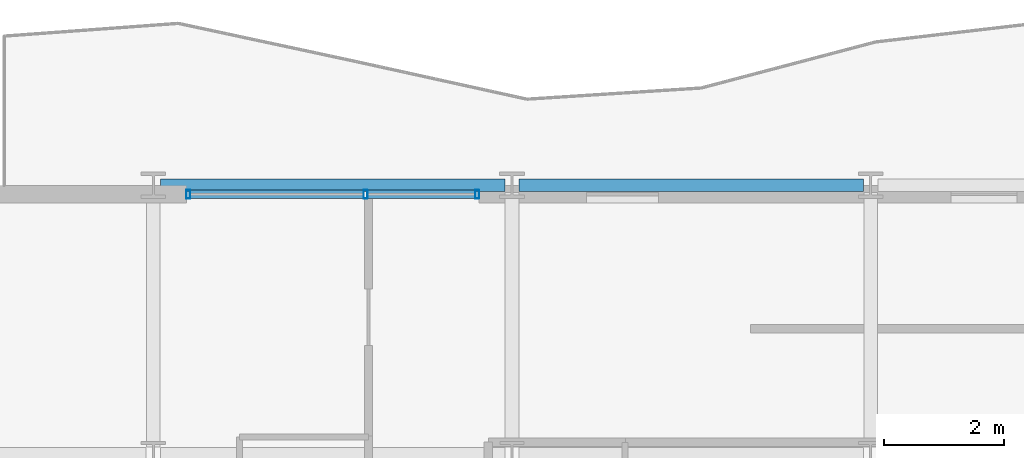
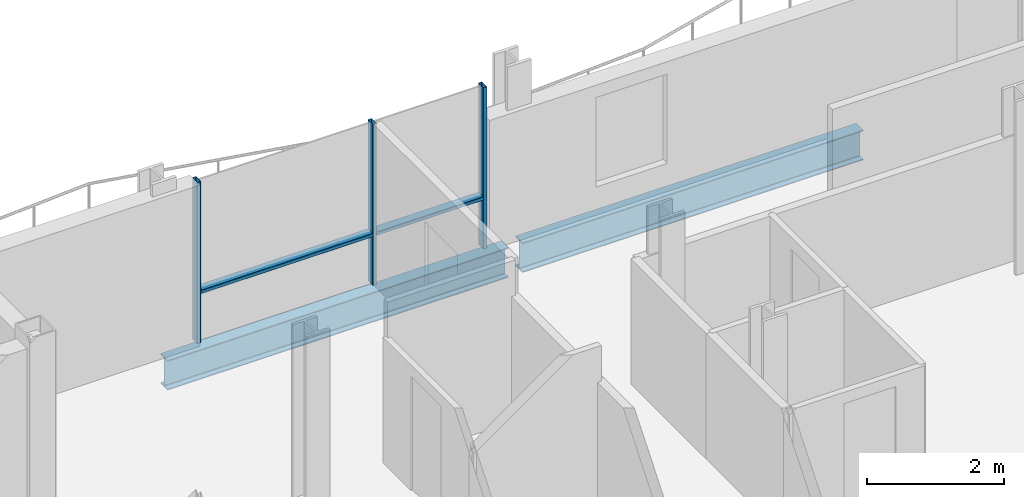
# One storey, part 21 of 40: 5 members, 2 beams, 1 element without a shape of its own.
"""IFC4 building model written with IfcOpenShell, lengths in metres."""

from ifc_helpers import new_model, si_unit, direction, frame, origin, origin_2d, place, context, subcontext, project, spatial, hollow_rectangle, i_section, extrude, material, layer, layer_set, material_profile, profile_set, type_object, element, aggregate, save


model = new_model("IFC4")

# Units and contexts
model_context = context("Model", 3, precision=1e-05, world=origin(), true_north=direction((0.0, 1.0)))
body_context = subcontext(model_context, "Body", "Model", "MODEL_VIEW")
ifc_project = project(units=[si_unit("LENGTHUNIT", "METRE"), si_unit("AREAUNIT", "SQUARE_METRE"), si_unit("VOLUMEUNIT", "CUBIC_METRE"), si_unit("PLANEANGLEUNIT", "RADIAN"), si_unit("MASSUNIT", "GRAM", prefix="KILO")], contexts=[model_context])

# Site, building, storey
site_placement = place(None, origin())
site = spatial("IfcSite", under=ifc_project, at=site_placement, CompositionType="ELEMENT")
building_placement = place(site_placement, origin())
building = spatial("IfcBuilding", under=site, at=building_placement, Name="Brevholm Reach", CompositionType="ELEMENT")
storey_placement = place(building_placement, frame((0.0, 0.0, 125.199951171875)))
storey = spatial("IfcBuildingStorey", under=building, at=storey_placement, Name="L37", CompositionType="ELEMENT", Elevation=125.199951171875)

# Beams
ifc_material_1 = material(Name="Structural Steel S355J2", Category="steel")
ifc_material_profile_1 = material_profile(ifc_material_1, i_section(OverallWidth=0.209228515625, OverallDepth=0.533203125, WebThickness=0.010009765625, FlangeThickness=0.015625, FilletRadius=0.0126953125, at=origin_2d()), Name="UKB 533x210x92")
ifc_profile_set_1 = profile_set([ifc_material_profile_1], Name="Structural Steel S355J2")
beam_type = type_object("IfcBeamType", Name="BM-SP533", PredefinedType="SPANDREL", material=ifc_profile_set_1)
for number, where, z_axis, x_axis, name in (
    (1, (6.1201171875, 31.0, -0.486572265625), (1.0, 0.0, 0.0), (0.0, 1.0, 0.0), "L37 SP-02 Framing Beam"),
    (2, (12.1201171875, 31.0, -0.486572265625), (1.0, 0.0, 0.0), (0.0, 1.0, 0.0), "L37 SP-02 Framing Beam"),
):
    element("IfcBeam", number, at=place(storey_placement, frame(where, z_axis=z_axis, x_axis=x_axis)), inside=storey, type_object=beam_type, Name=name, PredefinedType="SPANDREL", context=body_context, shape_type="SweptSolid", body=[
        extrude(i_section(OverallWidth=0.209228515625, OverallDepth=0.533203125, WebThickness=0.010009765625, FlangeThickness=0.015625, FilletRadius=0.0126953125, at=origin_2d()), origin(), (0.0, 0.0, 1.0), 5.759765625),
    ])

# Curtain wall, members
ifc_material_2 = material(Name="Dark Anodised Aluminium 6063-T6 and Solar-Control Glass", Category="aluminium")
ifc_layer = layer(ifc_material_2, 0.14990234375)
ifc_layer_set = layer_set([ifc_layer], Name="Dark Anodised Aluminium 6063-T6 and Solar-Control Glass")
curtain_wall_type = type_object("IfcCurtainWallType", Name="CW-01", PredefinedType="NOTDEFINED", material=ifc_layer_set)
curtain_wall_placement = place(storey_placement, origin())
curtain_wall = element("IfcCurtainWall", 3, at=curtain_wall_placement, inside=storey, type_object=curtain_wall_type, Name="L37 Curtain Wall CW-01", PredefinedType="NOTDEFINED")
ifc_material_3 = material(Name="Dark Anodised Aluminium 6063-T6", Category="aluminium")
ifc_material_profile_2 = material_profile(ifc_material_3, hollow_rectangle(XDim=0.06494140625, YDim=0.14990234375, WallThickness=0.0048828125, InnerFilletRadius=0.0048828125, OuterFilletRadius=0.010009765625, at=origin_2d()), Name="RHS 150x65x5")
ifc_profile_set_2 = profile_set([ifc_material_profile_2], Name="Dark Anodised Aluminium 6063-T6")
member_type_1 = type_object("IfcMemberType", Name="CWM-150", PredefinedType="MULLION", material=ifc_profile_set_2)
member_1_placement = place(storey_placement, frame((6.58251953125, 30.85009765625, 0.0), z_axis=(0.0, 0.0, 1.0), x_axis=(1.0, 0.0, 0.0)))
member_1 = element("IfcMember", 4, at=member_1_placement, type_object=member_type_1, Name="CM-150 Mullion 1", PredefinedType="MULLION", context=body_context, shape_type="SweptSolid", body=[
    extrude(hollow_rectangle(XDim=0.06494140625, YDim=0.14990234375, WallThickness=0.0048828125, InnerFilletRadius=0.0048828125, OuterFilletRadius=0.010009765625, at=origin_2d()), origin(), (0.0, 0.0, 1.0), 2.880126953125),
])
member_2_placement = place(storey_placement, frame((9.550048828125, 30.85009765625, 0.0), z_axis=(0.0, 0.0, 1.0), x_axis=(1.0, 0.0, 0.0)))
member_2 = element("IfcMember", 5, at=member_2_placement, type_object=member_type_1, Name="CM-150 Mullion 2", PredefinedType="MULLION", context=body_context, shape_type="SweptSolid", body=[
    extrude(hollow_rectangle(XDim=0.06494140625, YDim=0.14990234375, WallThickness=0.0048828125, InnerFilletRadius=0.0048828125, OuterFilletRadius=0.010009765625, at=origin_2d()), origin(), (0.0, 0.0, 1.0), 2.880126953125),
])
member_3_placement = place(storey_placement, frame((11.41748046875, 30.85009765625, 0.0), z_axis=(0.0, 0.0, 1.0), x_axis=(1.0, 0.0, 0.0)))
member_3 = element("IfcMember", 6, at=member_3_placement, type_object=member_type_1, Name="CM-150 Mullion 3", PredefinedType="MULLION", context=body_context, shape_type="SweptSolid", body=[
    extrude(hollow_rectangle(XDim=0.06494140625, YDim=0.14990234375, WallThickness=0.0048828125, InnerFilletRadius=0.0048828125, OuterFilletRadius=0.010009765625, at=origin_2d()), origin(), (0.0, 0.0, 1.0), 2.880126953125),
])
ifc_material_4 = material(Name="Dark Anodised Aluminium 6063-T6", Category="aluminium")
ifc_material_profile_3 = material_profile(ifc_material_4, hollow_rectangle(XDim=0.06494140625, YDim=0.14990234375, WallThickness=0.0048828125, InnerFilletRadius=0.0048828125, OuterFilletRadius=0.010009765625, at=origin_2d()), Name="RHS 150x65x5")
ifc_profile_set_3 = profile_set([ifc_material_profile_3], Name="Dark Anodised Aluminium 6063-T6")
member_type_2 = type_object("IfcMemberType", Name="CWT-150", PredefinedType="NOTDEFINED", material=ifc_profile_set_3)
member_4_placement = place(storey_placement, frame((6.614990234375, 30.85009765625, 0.900146484375), z_axis=(1.0, 0.0, 0.0), x_axis=(0.0, 0.0, 1.0)))
member_4 = element("IfcMember", 7, at=member_4_placement, type_object=member_type_2, Name="CT-150 Transom 1.1", ObjectType="TRANSOM", PredefinedType="USERDEFINED", context=body_context, shape_type="SweptSolid", body=[
    extrude(hollow_rectangle(XDim=0.06494140625, YDim=0.14990234375, WallThickness=0.0048828125, InnerFilletRadius=0.0048828125, OuterFilletRadius=0.010009765625, at=origin_2d()), origin(), (0.0, 0.0, 1.0), 2.902587890625),
])
member_5_placement = place(storey_placement, frame((9.58251953125, 30.85009765625, 0.900146484375), z_axis=(1.0, 0.0, 0.0), x_axis=(0.0, 0.0, 1.0)))
member_5 = element("IfcMember", 8, at=member_5_placement, type_object=member_type_2, Name="CT-150 Transom 2.1", ObjectType="TRANSOM", PredefinedType="USERDEFINED", context=body_context, shape_type="SweptSolid", body=[
    extrude(hollow_rectangle(XDim=0.06494140625, YDim=0.14990234375, WallThickness=0.0048828125, InnerFilletRadius=0.0048828125, OuterFilletRadius=0.010009765625, at=origin_2d()), origin(), (0.0, 0.0, 1.0), 1.802490234375),
])
aggregate(curtain_wall, [member_1, member_2, member_3, member_4, member_5])

save(model, "model.ifc")
